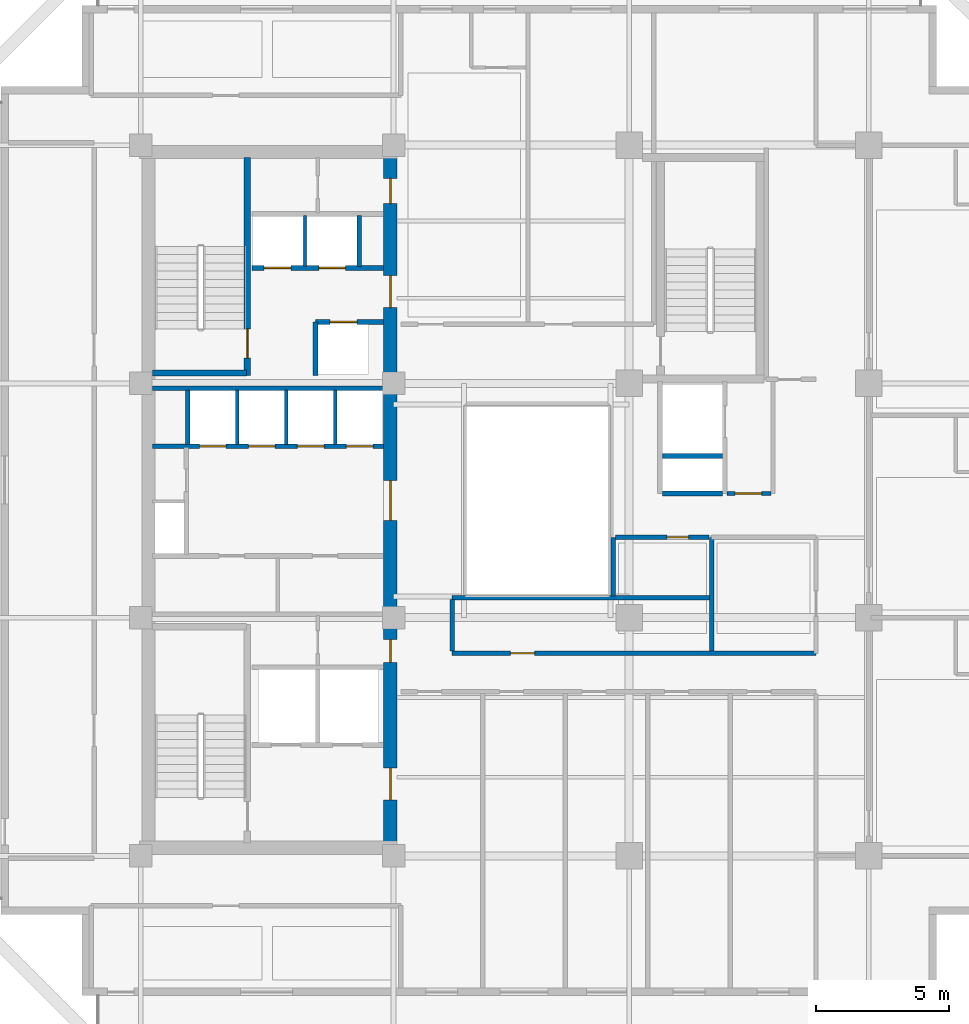
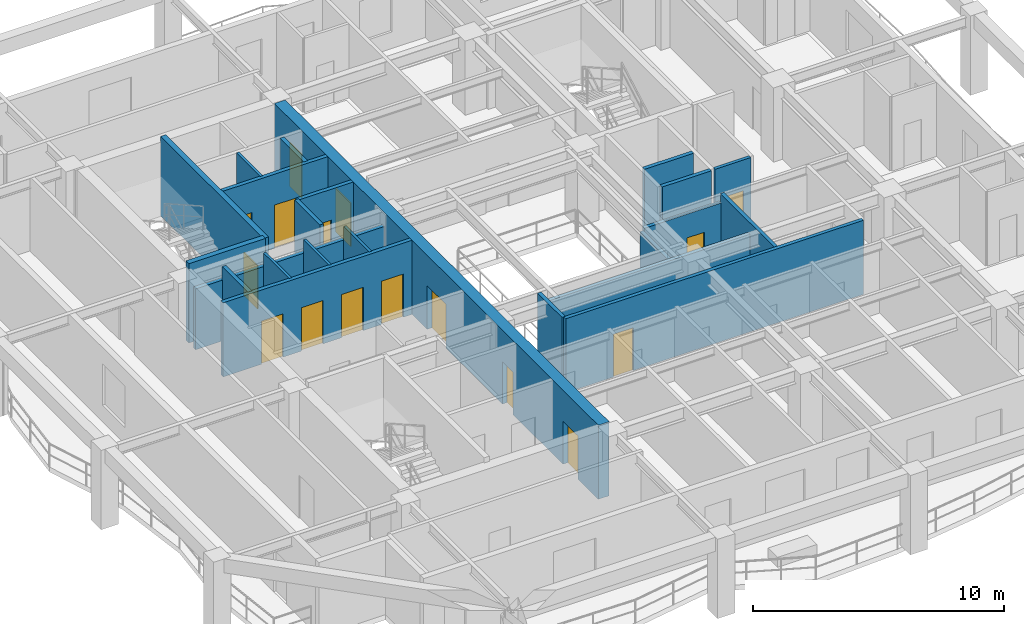
# One storey, part 4 of 11: 23 walls, 16 doors, 16 openings.
"""IFC4 building model written with IfcOpenShell, lengths in metres."""

import ifcopenshell
import ifcopenshell.guid

model = None  # the IFC model being written
_history = None  # IfcOwnerHistory: only IFC2X3 demands one
_inside = {}  # id of a spatial element -> (the spatial element, [elements in it])
_under = {}  # id of a project, library or spatial element -> (it, [spatial elements below it])
_declared = {}  # id of a project -> (the project, [libraries it declares])
_typed = {}  # id of a type object -> (the type object, [elements of that type])
_made_of = {}  # id of a material, layer set ... -> (it, [elements and type objects made of it])


def new_model(schema):
    """Start an empty IFC model of exactly this schema.

    Asked for "IFC4X3", IfcOpenShell would pick the latest addendum, in which some entities
    have other attributes; the version numbers below select the first issue.
    IFC2X3 requires an IfcOwnerHistory on every rooted entity: one is made here for all.
    """
    global model, _history
    if schema == "IFC4X3":
        model = ifcopenshell.file(schema_version=(4, 3, 0, 0))
    else:
        model = ifcopenshell.file(schema=schema)
    _inside.clear()
    _under.clear()
    _declared.clear()
    _typed.clear()
    _made_of.clear()
    _history = None
    if model.schema == "IFC2X3":
        org = make("IfcOrganization", Name="unknown")
        user = make(
            "IfcPersonAndOrganization",
            ThePerson=make("IfcPerson", FamilyName="unknown"),
            TheOrganization=org,
        )
        app = make(
            "IfcApplication",
            ApplicationDeveloper=org,
            Version="unknown",
            ApplicationFullName="unknown",
            ApplicationIdentifier="unknown",
        )
        _history = make(
            "IfcOwnerHistory",
            OwningUser=user,
            OwningApplication=app,
            ChangeAction="ADDED",
            CreationDate=0,
        )
    return model


def make(cls, **values):
    """One entity of the class cls with the attributes given. An attribute that is None is left unset."""
    return model.create_entity(
        cls, **{name: value for name, value in values.items() if value is not None}
    )


def rooted(cls, **values):
    """An entity with a GlobalId (a new one), such as an element, a storey or a relation."""
    return make(cls, GlobalId=ifcopenshell.guid.new(), OwnerHistory=_history, **values)


def si_unit(unit_type, name, prefix=None):
    """IfcSIUnit, for example si_unit("LENGTHUNIT", "METRE", prefix="MILLI")."""
    return make("IfcSIUnit", UnitType=unit_type, Prefix=prefix, Name=name)


def assignment(units):
    """IfcUnitAssignment: the units of a project."""
    return None if units is None else make("IfcUnitAssignment", Units=units)


def point(xyz):
    """IfcCartesianPoint."""
    return None if xyz is None else make("IfcCartesianPoint", Coordinates=xyz)


def direction(xyz):
    """IfcDirection."""
    return None if xyz is None else make("IfcDirection", DirectionRatios=xyz)


def frame(location, z_axis=None, x_axis=None):
    """IfcAxis2Placement3D, a coordinate frame: its origin and axes. An axis left out is left unset."""
    return make(
        "IfcAxis2Placement3D",
        Location=point(location),
        Axis=direction(z_axis),
        RefDirection=direction(x_axis),
    )


def frame_2d(location, x_axis=None):
    """IfcAxis2Placement2D, a coordinate frame in the plane: its origin and x axis."""
    return make(
        "IfcAxis2Placement2D", Location=point(location), RefDirection=direction(x_axis)
    )


def origin():
    """The frame at (0, 0, 0) with its axes left unset."""
    return frame((0.0, 0.0, 0.0))


def place(relative_to, where):
    """IfcLocalPlacement: puts the frame where relative to a parent placement (None: the world)."""
    return make(
        "IfcLocalPlacement", PlacementRelTo=relative_to, RelativePlacement=where
    )


def context(
    kind, dimensions, precision=None, world=None, true_north=None, identifier=None
):
    """IfcGeometricRepresentationContext, for example the 3D "Model" context."""
    return make(
        "IfcGeometricRepresentationContext",
        ContextIdentifier=identifier,
        ContextType=kind,
        CoordinateSpaceDimension=dimensions,
        Precision=precision,
        WorldCoordinateSystem=world,
        TrueNorth=true_north,
    )


def subcontext(parent, identifier, kind, view, scale=None):
    """IfcGeometricRepresentationSubContext, for example "Body" below "Model"."""
    return make(
        "IfcGeometricRepresentationSubContext",
        ContextIdentifier=identifier,
        ContextType=kind,
        ParentContext=parent,
        TargetScale=scale,
        TargetView=view,
    )


def project(units=None, contexts=None):
    """IfcProject with its units and contexts."""
    return rooted(
        "IfcProject",
        Name="project",
        RepresentationContexts=contexts,
        UnitsInContext=assignment(units),
    )


def spatial(cls, under=None, at=None, **own):
    """A site, building, storey or space (cls), placed at a placement, below another one or the project."""
    s = rooted(cls, ObjectPlacement=at, **own)
    if under is not None:
        _under.setdefault(under.id(), (under, []))[1].append(s)
    return s


def profile(cls, at=None, kind="AREA", **sizes):
    """A parametric profile (cls). Its sizes go by their IFC names, for example OverallWidth=200.0."""
    return make(cls, ProfileType=kind, Position=at, **sizes)


def rectangle(**sizes):
    """IfcRectangleProfileDef."""
    return profile("IfcRectangleProfileDef", **sizes)


def extrude(swept, where, along, depth):
    """IfcExtrudedAreaSolid: the profile swept, set in the frame where, extruded along a direction by depth."""
    return make(
        "IfcExtrudedAreaSolid",
        SweptArea=swept,
        Position=where,
        ExtrudedDirection=direction(along),
        Depth=depth,
    )


def shape(context_of_items, identifier, shape_type, items):
    """IfcShapeRepresentation: the items that make up one representation, for example the "Body"."""
    return make(
        "IfcShapeRepresentation",
        ContextOfItems=context_of_items,
        RepresentationIdentifier=identifier,
        RepresentationType=shape_type,
        Items=items,
    )


def material(Name=None, Category=None):
    """IfcMaterial."""
    return make("IfcMaterial", Name=Name, Category=Category)


def layer(
    of_material, thickness, ventilated=None, Name=None, Category=None, Priority=None
):
    """IfcMaterialLayer: one layer of a wall or slab, of a material (None: an air gap)."""
    return make(
        "IfcMaterialLayer",
        Material=of_material,
        LayerThickness=thickness,
        IsVentilated=ventilated,
        Name=Name,
        Category=Category,
        Priority=Priority,
    )


def layer_set(layers, Name=None):
    """IfcMaterialLayerSet."""
    return make("IfcMaterialLayerSet", MaterialLayers=layers, LayerSetName=Name)


def made_of(thing, what):
    """Note that an element or type object is made of a material, layer set ...; save() writes the relation."""
    if what is not None:
        _made_of.setdefault(what.id(), (what, []))[1].append(thing)
    return thing


def type_object(cls, material=None, **own):
    """A type object (cls), such as IfcWallType, which elements share."""
    return made_of(rooted(cls, **own), material)


def element(
    cls,
    number,
    at=None,
    inside=None,
    cuts=None,
    type_object=None,
    material=None,
    context=None,
    identifier="Body",
    shape_type=None,
    held_by="IfcProductDefinitionShape",
    body=None,
    shapes=None,
    **own,
):
    """One element of the class cls, such as IfcWall. Its Tag is "e" and its number.

    at: its placement. inside: the storey or other place that contains it. cuts: it is an
    opening in that element (IfcRelVoidsElement). A single representation is given by context,
    identifier, shape_type and body (its items); several are given by shapes. held_by: the class
    of the entity that holds the representations. save() writes the other relations.
    """
    e = rooted(cls, Tag="e%d" % number, ObjectPlacement=at, **own)
    if body is not None:
        shapes = [shape(context, identifier, shape_type, body)]
    if shapes is not None:
        e.Representation = make(held_by, Representations=shapes)
    if inside is not None:
        _inside.setdefault(inside.id(), (inside, []))[1].append(e)
    if cuts is not None:
        rooted(
            "IfcRelVoidsElement", RelatingBuildingElement=cuts, RelatedOpeningElement=e
        )
    if type_object is not None:
        _typed.setdefault(type_object.id(), (type_object, []))[1].append(e)
    return made_of(e, material)


def fill(opening, filler):
    """IfcRelFillsElement: the door or window that sits in an opening."""
    return rooted(
        "IfcRelFillsElement",
        RelatingOpeningElement=opening,
        RelatedBuildingElement=filler,
    )


def aggregate(whole, parts):
    """IfcRelAggregates: a whole, such as a stair, and the parts it consists of."""
    return rooted("IfcRelAggregates", RelatingObject=whole, RelatedObjects=parts)


def save(model, path):
    """Write the relations noted so far, then the file.

    IfcRelAggregates (storeys below a building ...), IfcRelContainedInSpatialStructure (elements
    in a storey), IfcRelDefinesByType, IfcRelAssociatesMaterial and IfcRelDeclares: one each for
    every whole, place, type object, material and project.
    """
    for whole, parts in _under.values():
        aggregate(whole, parts)
    for where, things in _inside.values():
        rooted(
            "IfcRelContainedInSpatialStructure",
            RelatedElements=things,
            RelatingStructure=where,
        )
    for kind, things in _typed.values():
        rooted("IfcRelDefinesByType", RelatedObjects=things, RelatingType=kind)
    for what, things in _made_of.values():
        rooted("IfcRelAssociatesMaterial", RelatedObjects=things, RelatingMaterial=what)
    for by, libraries in _declared.values():
        rooted("IfcRelDeclares", RelatingContext=by, RelatedDefinitions=libraries)
    model.write(path)


model = new_model("IFC4")

# Units and contexts
model_context = context("Model", 3, precision=1e-05, world=origin(), true_north=direction((0.0, 1.0)))
body_context = subcontext(model_context, "Body", "Model", "MODEL_VIEW")
ifc_project = project(units=[si_unit("LENGTHUNIT", "METRE"), si_unit("AREAUNIT", "SQUARE_METRE"), si_unit("VOLUMEUNIT", "CUBIC_METRE"), si_unit("PLANEANGLEUNIT", "RADIAN"), si_unit("MASSUNIT", "GRAM", prefix="KILO")], contexts=[model_context])

# Site, building, storey
site_placement = place(None, origin())
site = spatial("IfcSite", under=ifc_project, at=site_placement, CompositionType="ELEMENT")
building_placement = place(site_placement, origin())
building = spatial("IfcBuilding", under=site, at=building_placement, Name="Kundavana Baori Tower", CompositionType="ELEMENT")
storey_placement = place(building_placement, frame((0.0, 0.0, 142.5)))
storey = spatial("IfcBuildingStorey", under=building, at=storey_placement, Name="L34", CompositionType="ELEMENT", Elevation=142.5)

# Wall, opening, door
ifc_material_1 = material(Name="Concrete C50/60", Category="concrete")
ifc_layer_1 = layer(ifc_material_1, 0.39990234375, Name="WL-CORE-400")
ifc_layer_set_1 = layer_set([ifc_layer_1], Name="Concrete C50/60")
wall_type_1 = type_object("IfcWallType", Name="WL-CORE-400", PredefinedType="SHEAR", material=ifc_layer_set_1)
wall_1_placement = place(storey_placement, frame((19.4599609375, 33.300048828125, 0.0), z_axis=(0.0, 0.0, 1.0), x_axis=(0.0, 1.0, 0.0)))
wall_1 = element("IfcWall", 1, at=wall_1_placement, inside=storey, type_object=wall_type_1, Name="WL-L34-ST2-E", PredefinedType="SHEAR", context=body_context, shape_type="SweptSolid", body=[
    extrude(rectangle(XDim=8.179931640625, YDim=0.239990234375, at=frame_2d((4.08984375, 0.0))), origin(), (0.0, 0.0, 1.0), 3.85009765625),
])
opening_1_placement = place(wall_1_placement, frame((0.64990234375, 0.0, 0.0)))
opening_1 = element("IfcOpeningElement", 2, at=opening_1_placement, cuts=wall_1, Name="Opening FD-110", PredefinedType="OPENING", context=body_context, shape_type="SweptSolid", body=[
    extrude(rectangle(XDim=1.10009765625, YDim=2.10009765625, at=frame_2d((0.550048828125, 1.050048828125))), frame((0.0, 0.1298828125, 0.0), z_axis=(0.0, -1.0, 0.0), x_axis=(1.0, 0.0, 0.0)), (0.0, 0.0, 1.0), 0.260009765625),
])
ifc_material_2 = material(Name="Galvanised Steel Fire-Rated Door Leaf", Category="steel")
door_type_1 = type_object("IfcDoorType", Name="DR-FD120-1100", OperationType="NOTDEFINED", PredefinedType="DOOR", material=ifc_material_2)
door_1_placement = place(opening_1_placement, origin())
door_1 = element("IfcDoor", 3, at=door_1_placement, inside=storey, type_object=door_type_1, Name="DR-L34-ST2", OperationType="SINGLE_SWING_RIGHT", OverallHeight=2.10009765625, OverallWidth=1.10009765625, PredefinedType="DOOR", context=body_context, shape_type="SweptSolid", body=[
    extrude(rectangle(XDim=1.10009765625, YDim=2.10009765625, at=frame_2d((0.550048828125, 1.050048828125))), frame((0.0, 0.02490234375, 0.0), z_axis=(0.0, -1.0, 0.0), x_axis=(1.0, 0.0, 0.0)), (0.0, 0.0, 1.0), 0.050048828125),
])
fill(opening_1, door_1)

# Wall
wall_2_placement = place(storey_placement, frame((15.89990234375, 33.389892578125, 0.0), z_axis=(0.0, 0.0, 1.0), x_axis=(1.0, 0.0, 0.0)))
element("IfcWall", 4, at=wall_2_placement, inside=storey, type_object=wall_type_1, Name="WL-L34-ST2-S", PredefinedType="SHEAR", context=body_context, shape_type="SweptSolid", body=[
    extrude(rectangle(XDim=3.52001953125, YDim=0.239990234375, at=frame_2d((1.760009765625, 0.0))), origin(), (0.0, 0.0, 1.0), 3.85009765625),
])

# Wall, openings, doors
ifc_material_3 = material(Name="Concrete C50/60", Category="concrete")
ifc_layer_2 = layer(ifc_material_3, 0.5, Name="WL-CORE-500")
ifc_layer_set_2 = layer_set([ifc_layer_2], Name="Concrete C50/60")
wall_type_2 = type_object("IfcWallType", Name="WL-CORE-500", PredefinedType="SHEAR", material=ifc_layer_set_2)
wall_3_placement = place(storey_placement, frame((24.830078125, 15.739990234375, 0.0), z_axis=(0.0, 0.0, 1.0), x_axis=(0.0, 1.0, 0.0)))
wall_3 = element("IfcWall", 5, at=wall_3_placement, inside=storey, type_object=wall_type_2, Name="L34 Offset Core East Shear Wall", PredefinedType="SHEAR", context=body_context, shape_type="SweptSolid", body=[
    extrude(rectangle(XDim=25.760009765625, YDim=0.5, at=frame_2d((12.8798828125, 0.0))), origin(), (0.0, 0.0, 1.0), 3.60009765625),
])
opening_2_placement = place(wall_3_placement, frame((1.610107421875, 0.0, 0.0)))
opening_2 = element("IfcOpeningElement", 6, at=opening_2_placement, cuts=wall_3, Name="Opening FD-120", PredefinedType="OPENING", context=body_context, shape_type="SweptSolid", body=[
    extrude(rectangle(XDim=1.199951171875, YDim=2.10009765625, at=frame_2d((0.60009765625, 1.050048828125))), frame((0.0, 0.260009765625, 0.0), z_axis=(0.0, -1.0, 0.0), x_axis=(1.0, 0.0, 0.0)), (0.0, 0.0, 1.0), 0.52001953125),
])
opening_3_placement = place(wall_3_placement, frame((6.780029296875, 0.0, 0.0)))
opening_3 = element("IfcOpeningElement", 7, at=opening_3_placement, cuts=wall_3, Name="Opening FD-085", PredefinedType="OPENING", context=body_context, shape_type="SweptSolid", body=[
    extrude(rectangle(XDim=0.85009765625, YDim=2.06005859375, at=frame_2d((0.425048828125, 1.030029296875))), frame((0.0, 0.260009765625, 0.0), z_axis=(0.0, -1.0, 0.0), x_axis=(1.0, 0.0, 0.0)), (0.0, 0.0, 1.0), 0.52001953125),
])
opening_4_placement = place(wall_3_placement, frame((12.110107421875, 0.0, 0.0)))
opening_4 = element("IfcOpeningElement", 8, at=opening_4_placement, cuts=wall_3, Name="Opening FD-150", PredefinedType="OPENING", context=body_context, shape_type="SweptSolid", body=[
    extrude(rectangle(XDim=1.5, YDim=2.1201171875, at=frame_2d((0.75, 1.06005859375))), frame((0.0, 0.260009765625, 0.0), z_axis=(0.0, -1.0, 0.0), x_axis=(1.0, 0.0, 0.0)), (0.0, 0.0, 1.0), 0.52001953125),
])
opening_5_placement = place(wall_3_placement, frame((20.110107421875, 0.0, 0.0)))
opening_5 = element("IfcOpeningElement", 9, at=opening_5_placement, cuts=wall_3, Name="Opening FD-122", PredefinedType="OPENING", context=body_context, shape_type="SweptSolid", body=[
    extrude(rectangle(XDim=1.199951171875, YDim=2.1201171875, at=frame_2d((0.60009765625, 1.06005859375))), frame((0.0, 0.260009765625, 0.0), z_axis=(0.0, -1.0, 0.0), x_axis=(1.0, 0.0, 0.0)), (0.0, 0.0, 1.0), 0.52001953125),
])
opening_6_placement = place(wall_3_placement, frame((24.010009765625, 0.0, 0.0)))
opening_6 = element("IfcOpeningElement", 10, at=opening_6_placement, cuts=wall_3, Name="Opening FD-095", PredefinedType="OPENING", context=body_context, shape_type="SweptSolid", body=[
    extrude(rectangle(XDim=0.949951171875, YDim=2.10009765625, at=frame_2d((0.47509765625, 1.050048828125))), frame((0.0, 0.260009765625, 0.0), z_axis=(0.0, -1.0, 0.0), x_axis=(1.0, 0.0, 0.0)), (0.0, 0.0, 1.0), 0.52001953125),
])
ifc_material_4 = material(Name="Galvanised Steel Fire-Rated Door Leaf", Category="steel")
door_type_2 = type_object("IfcDoorType", Name="DR-FD120-1200", OperationType="NOTDEFINED", PredefinedType="DOOR", material=ifc_material_4)
door_2_placement = place(opening_2_placement, frame((1.199951171875, 0.0, 0.0), z_axis=(0.0, 0.0, 1.0), x_axis=(-1.0, 0.0, 0.0)))
door_2 = element("IfcDoor", 11, at=door_2_placement, inside=storey, type_object=door_type_2, Name="DR-L34-FFLOB-E", OperationType="SINGLE_SWING_RIGHT", OverallHeight=2.10009765625, OverallWidth=1.199951171875, PredefinedType="DOOR", context=body_context, shape_type="SweptSolid", body=[
    extrude(rectangle(XDim=1.199951171875, YDim=2.10009765625, at=frame_2d((0.60009765625, 1.050048828125))), frame((0.0, 0.02490234375, 0.0), z_axis=(0.0, -1.0, 0.0), x_axis=(1.0, 0.0, 0.0)), (0.0, 0.0, 1.0), 0.050048828125),
])
fill(opening_2, door_2)
ifc_material_5 = material(Name="Galvanised Steel Fire-Rated Door Leaf", Category="steel")
door_type_3 = type_object("IfcDoorType", Name="DR-FD60-1200", OperationType="NOTDEFINED", PredefinedType="DOOR", material=ifc_material_5)
door_3_placement = place(opening_5_placement, frame((1.199951171875, 0.0, 0.0), z_axis=(0.0, 0.0, 1.0), x_axis=(-1.0, 0.0, 0.0)))
door_3 = element("IfcDoor", 12, at=door_3_placement, inside=storey, type_object=door_type_3, Name="DR-L34-HRLOB-E", OperationType="SINGLE_SWING_RIGHT", OverallHeight=2.1201171875, OverallWidth=1.199951171875, PredefinedType="DOOR", context=body_context, shape_type="SweptSolid", body=[
    extrude(rectangle(XDim=1.199951171875, YDim=2.1201171875, at=frame_2d((0.60009765625, 1.06005859375))), frame((0.0, 0.02490234375, 0.0), z_axis=(0.0, -1.0, 0.0), x_axis=(1.0, 0.0, 0.0)), (0.0, 0.0, 1.0), 0.050048828125),
])
fill(opening_5, door_3)
ifc_material_6 = material(Name="Galvanised Steel Fire-Rated Door Leaf", Category="steel")
door_type_4 = type_object("IfcDoorType", Name="DR-FD60-1500", OperationType="NOTDEFINED", PredefinedType="DOOR", material=ifc_material_6)
door_4_placement = place(opening_4_placement, frame((1.5, 0.0, 0.0), z_axis=(0.0, 0.0, 1.0), x_axis=(-1.0, 0.0, 0.0)))
door_4 = element("IfcDoor", 13, at=door_4_placement, inside=storey, type_object=door_type_4, Name="DR-L34-LIFTHALL-E", OperationType="SINGLE_SWING_LEFT", OverallHeight=2.1201171875, OverallWidth=1.5, PredefinedType="DOOR", context=body_context, shape_type="SweptSolid", body=[
    extrude(rectangle(XDim=1.5, YDim=2.1201171875, at=frame_2d((0.75, 1.06005859375))), frame((0.0, 0.02490234375, 0.0), z_axis=(0.0, -1.0, 0.0), x_axis=(1.0, 0.0, 0.0)), (0.0, 0.0, 1.0), 0.050048828125),
])
fill(opening_4, door_4)
ifc_material_7 = material(Name="Galvanised Steel Fire-Rated Door Leaf", Category="steel")
door_type_5 = type_object("IfcDoorType", Name="DR-FD60-850", OperationType="NOTDEFINED", PredefinedType="DOOR", material=ifc_material_7)
door_5_placement = place(opening_3_placement, frame((0.85009765625, 0.0, 0.0), z_axis=(0.0, 0.0, 1.0), x_axis=(-1.0, 0.0, 0.0)))
door_5 = element("IfcDoor", 14, at=door_5_placement, inside=storey, type_object=door_type_5, Name="DR-L34-CSMK2", OperationType="SINGLE_SWING_RIGHT", OverallHeight=2.06005859375, OverallWidth=0.85009765625, PredefinedType="DOOR", context=body_context, shape_type="SweptSolid", body=[
    extrude(rectangle(XDim=0.85009765625, YDim=2.06005859375, at=frame_2d((0.425048828125, 1.030029296875))), frame((0.0, 0.02490234375, 0.0), z_axis=(0.0, -1.0, 0.0), x_axis=(1.0, 0.0, 0.0)), (0.0, 0.0, 1.0), 0.050048828125),
])
fill(opening_3, door_5)
ifc_material_8 = material(Name="Engineered Teak Fire-Rated Timber Door Leaf", Category="wood")
door_type_6 = type_object("IfcDoorType", Name="DR-FD60-950", OperationType="NOTDEFINED", PredefinedType="DOOR", material=ifc_material_8)
door_6_placement = place(opening_6_placement, frame((0.949951171875, 0.0, 0.0), z_axis=(0.0, 0.0, 1.0), x_axis=(-1.0, 0.0, 0.0)))
door_6 = element("IfcDoor", 15, at=door_6_placement, inside=storey, type_object=door_type_6, Name="DR-L34-CSRV2", OperationType="SINGLE_SWING_RIGHT", OverallHeight=2.10009765625, OverallWidth=0.949951171875, PredefinedType="DOOR", context=body_context, shape_type="SweptSolid", body=[
    extrude(rectangle(XDim=0.949951171875, YDim=2.10009765625, at=frame_2d((0.47509765625, 1.050048828125))), frame((0.0, 0.02490234375, 0.0), z_axis=(0.0, -1.0, 0.0), x_axis=(1.0, 0.0, 0.0)), (0.0, 0.0, 1.0), 0.050048828125),
])
fill(opening_6, door_6)

# Walls
ifc_material_9 = material(Name="Acoustic Gypsum Plasterboard on Galvanised Steel Studs", Category="steel")
ifc_layer_3 = layer(ifc_material_9, 0.1201171875, Name="WL-PART-120")
ifc_layer_set_3 = layer_set([ifc_layer_3], Name="Acoustic Gypsum Plasterboard on Galvanised Steel Studs")
wall_type_3 = type_object("IfcWallType", Name="WL-PART-120", PredefinedType="PARTITIONING", material=ifc_layer_set_3)
for number, where, z_axis, x_axis, name in (
    (16, (19.080078125, 30.699951171875, 0.0), (0.0, 0.0, 1.0), (0.0, 1.0, 0.0), "WL-L34-LPMID-D1"),
    (17, (20.919921875, 30.699951171875, 0.0), (0.0, 0.0, 1.0), (0.0, 1.0, 0.0), "WL-L34-LPMID-D2"),
    (18, (22.760009765625, 30.699951171875, 0.0), (0.0, 0.0, 1.0), (0.0, 1.0, 0.0), "WL-L34-LPMID-D3"),
):
    element("IfcWall", number, at=place(storey_placement, frame(where, z_axis=z_axis, x_axis=x_axis)), inside=storey, type_object=wall_type_3, Name=name, PredefinedType="PARTITIONING", context=body_context, shape_type="SweptSolid", body=[
        extrude(rectangle(XDim=2.050048828125, YDim=0.1201171875, at=frame_2d((1.02490234375, 0.0))), origin(), (0.0, 0.0, 1.0), 3.60009765625),
    ])
wall_4_placement = place(storey_placement, frame((21.6201171875, 37.39990234375, 0.0), z_axis=(0.0, 0.0, 1.0), x_axis=(0.0, 1.0, 0.0)))
element("IfcWall", 19, at=wall_4_placement, inside=storey, type_object=wall_type_3, Name="WL-L34-HR-DIV1", PredefinedType="PARTITIONING", context=body_context, shape_type="SweptSolid", body=[
    extrude(rectangle(XDim=1.900146484375, YDim=0.1201171875, at=frame_2d((0.9501953125, 0.0))), origin(), (0.0, 0.0, 1.0), 3.60009765625),
])

# Wall, opening, door
ifc_material_10 = material(Name="Fire-Rated Gypsum Drywall on Galvanised Steel Studs", Category="steel")
ifc_layer_4 = layer(ifc_material_10, 0.14990234375, Name="WL-PART-150")
ifc_layer_set_4 = layer_set([ifc_layer_4], Name="Fire-Rated Gypsum Drywall on Galvanised Steel Studs")
wall_type_4 = type_object("IfcWallType", Name="WL-PART-150", PredefinedType="PARTITIONING", material=ifc_layer_set_4)
wall_5_placement = place(storey_placement, frame((37.47998046875, 28.860107421875, 0.0), z_axis=(0.0, 0.0, 1.0), x_axis=(1.0, 0.0, 0.0)))
wall_5 = element("IfcWall", 20, at=wall_5_placement, inside=storey, type_object=wall_type_4, Name="WL-L34-SVLOB-S", PredefinedType="PARTITIONING", context=body_context, shape_type="SweptSolid", body=[
    extrude(rectangle(XDim=1.64013671875, YDim=0.14990234375, at=frame_2d((0.820068359375, 0.0))), origin(), (0.0, 0.0, 1.0), 3.60009765625),
])
opening_7_placement = place(wall_5_placement, frame((0.300048828125, 0.0, 0.0)))
opening_7 = element("IfcOpeningElement", 21, at=opening_7_placement, cuts=wall_5, Name="Opening FD-100", PredefinedType="OPENING", context=body_context, shape_type="SweptSolid", body=[
    extrude(rectangle(XDim=1.0, YDim=2.10009765625, at=frame_2d((0.5, 1.050048828125))), frame((0.0, 0.0849609375, 0.0), z_axis=(0.0, -1.0, 0.0), x_axis=(1.0, 0.0, 0.0)), (0.0, 0.0, 1.0), 0.169921875),
])
ifc_material_11 = material(Name="Engineered Teak Fire-Rated Timber Door Leaf", Category="wood")
door_type_7 = type_object("IfcDoorType", Name="DR-FD60-1000", OperationType="NOTDEFINED", PredefinedType="DOOR", material=ifc_material_11)
door_7_placement = place(opening_7_placement, origin())
door_7 = element("IfcDoor", 22, at=door_7_placement, inside=storey, type_object=door_type_7, Name="DR-L34-SVLOB-OUT", OperationType="SINGLE_SWING_LEFT", OverallHeight=2.10009765625, OverallWidth=1.0, PredefinedType="DOOR", context=body_context, shape_type="SweptSolid", body=[
    extrude(rectangle(XDim=1.0, YDim=2.10009765625, at=frame_2d((0.5, 1.050048828125))), frame((0.0, 0.02490234375, 0.0), z_axis=(0.0, -1.0, 0.0), x_axis=(1.0, 0.0, 0.0)), (0.0, 0.0, 1.0), 0.050048828125),
])
fill(opening_7, door_7)

ifc_material_12 = material(Name="Fire-Rated Gypsum Drywall on Galvanised Steel Studs", Category="steel")
ifc_layer_5 = layer(ifc_material_12, 0.1650390625, Name="WL-PART-165")
ifc_layer_set_5 = layer_set([ifc_layer_5], Name="Fire-Rated Gypsum Drywall on Galvanised Steel Studs")
wall_type_5 = type_object("IfcWallType", Name="WL-PART-165", PredefinedType="PARTITIONING", material=ifc_layer_set_5)
wall_6_placement = place(storey_placement, frame((27.14990234375, 22.860107421875, 0.0), z_axis=(0.0, 0.0, 1.0), x_axis=(1.0, 0.0, 0.0)))
wall_6 = element("IfcWall", 23, at=wall_6_placement, inside=storey, type_object=wall_type_5, Name="WL-L34-HST", PredefinedType="PARTITIONING", context=body_context, shape_type="SweptSolid", body=[
    extrude(rectangle(XDim=13.670166015625, YDim=0.1650390625, at=frame_2d((6.8349609375, 0.0))), origin(), (0.0, 0.0, 1.0), 3.60009765625),
])
opening_8_placement = place(wall_6_placement, frame((2.199951171875, 0.0, 0.0)))
opening_8 = element("IfcOpeningElement", 24, at=opening_8_placement, cuts=wall_6, Name="Opening ID-090", PredefinedType="OPENING", context=body_context, shape_type="SweptSolid", body=[
    extrude(rectangle(XDim=0.89990234375, YDim=2.080078125, at=frame_2d((0.449951171875, 1.0400390625))), frame((0.0, 0.092529296875, 0.0), z_axis=(0.0, -1.0, 0.0), x_axis=(1.0, 0.0, 0.0)), (0.0, 0.0, 1.0), 0.18505859375),
])
ifc_material_13 = material(Name="Engineered Teak Solid-Core Timber Veneer", Category="wood")
door_type_8 = type_object("IfcDoorType", Name="DR-INT-900", OperationType="NOTDEFINED", PredefinedType="DOOR", material=ifc_material_13)
door_8_placement = place(opening_8_placement, origin())
door_8 = element("IfcDoor", 25, at=door_8_placement, inside=storey, type_object=door_type_8, Name="DR-L34-HPNT", OperationType="SINGLE_SWING_LEFT", OverallHeight=2.080078125, OverallWidth=0.89990234375, PredefinedType="DOOR", context=body_context, shape_type="SweptSolid", body=[
    extrude(rectangle(XDim=0.89990234375, YDim=2.080078125, at=frame_2d((0.449951171875, 1.0400390625))), frame((0.0, 0.02490234375, 0.0), z_axis=(0.0, -1.0, 0.0), x_axis=(1.0, 0.0, 0.0)), (0.0, 0.0, 1.0), 0.050048828125),
])
fill(opening_8, door_8)

# Walls
wall_7_placement = place(storey_placement, frame((36.89990234375, 22.93994140625, 0.0), z_axis=(0.0, 0.0, 1.0), x_axis=(0.0, 1.0, 0.0)))
element("IfcWall", 26, at=wall_7_placement, inside=storey, type_object=wall_type_5, Name="WL-L34-HKD", PredefinedType="PARTITIONING", context=body_context, shape_type="SweptSolid", body=[
    extrude(rectangle(XDim=4.280029296875, YDim=0.1650390625, at=frame_2d((2.14013671875, 0.0))), origin(), (0.0, 0.0, 1.0), 3.60009765625),
])
wall_8_placement = place(storey_placement, frame((27.14990234375, 24.949951171875, 0.0), z_axis=(0.0, 0.0, 1.0), x_axis=(1.0, 0.0, 0.0)))
element("IfcWall", 27, at=wall_8_placement, inside=storey, type_object=wall_type_5, Name="WL-L34-HPN1", PredefinedType="PARTITIONING", context=body_context, shape_type="SweptSolid", body=[
    extrude(rectangle(XDim=9.670166015625, YDim=0.1650390625, at=frame_2d((4.8349609375, 0.0))), origin(), (0.0, 0.0, 1.0), 3.050048828125),
])
wall_9_placement = place(storey_placement, frame((27.14990234375, 22.93994140625, 0.0), z_axis=(0.0, 0.0, 1.0), x_axis=(0.0, 1.0, 0.0)))
element("IfcWall", 28, at=wall_9_placement, inside=storey, type_object=wall_type_5, Name="WL-L34-HPN2", PredefinedType="PARTITIONING", context=body_context, shape_type="SweptSolid", body=[
    extrude(rectangle(XDim=1.93994140625, YDim=0.1650390625, at=frame_2d((0.969970703125, 0.0))), origin(), (0.0, 0.0, 1.0), 3.60009765625),
])
wall_10_placement = place(storey_placement, frame((33.199951171875, 25.02001953125, 0.0), z_axis=(0.0, 0.0, 1.0), x_axis=(0.0, 1.0, 0.0)))
element("IfcWall", 29, at=wall_10_placement, inside=storey, type_object=wall_type_5, Name="WL-L34-HASW", PredefinedType="PARTITIONING", context=body_context, shape_type="SweptSolid", body=[
    extrude(rectangle(XDim=2.199951171875, YDim=0.1650390625, at=frame_2d((1.10009765625, 0.0))), origin(), (0.0, 0.0, 1.0), 3.050048828125),
])

# Wall, opening, door
wall_11_placement = place(storey_placement, frame((33.280029296875, 27.219970703125, 0.0), z_axis=(0.0, 0.0, 1.0), x_axis=(1.0, 0.0, 0.0)))
wall_11 = element("IfcWall", 30, at=wall_11_placement, inside=storey, type_object=wall_type_5, Name="WL-L34-HASN", PredefinedType="PARTITIONING", context=body_context, shape_type="SweptSolid", body=[
    extrude(rectangle(XDim=3.52001953125, YDim=0.1650390625, at=frame_2d((1.760009765625, 0.0))), origin(), (0.0, 0.0, 1.0), 3.199951171875),
])
opening_9_placement = place(wall_11_placement, frame((1.949951171875, 0.0, 0.0)))
opening_9 = element("IfcOpeningElement", 31, at=opening_9_placement, cuts=wall_11, Name="Opening WD-080", PredefinedType="OPENING", context=body_context, shape_type="SweptSolid", body=[
    extrude(rectangle(XDim=0.800048828125, YDim=2.050048828125, at=frame_2d((0.39990234375, 1.02490234375))), frame((0.0, 0.092529296875, 0.0), z_axis=(0.0, -1.0, 0.0), x_axis=(1.0, 0.0, 0.0)), (0.0, 0.0, 1.0), 0.18505859375),
])
ifc_material_14 = material(Name="Engineered Teak Solid-Core Timber Veneer", Category="wood")
door_type_9 = type_object("IfcDoorType", Name="DR-WET-800", OperationType="NOTDEFINED", PredefinedType="DOOR", material=ifc_material_14)
door_9_placement = place(opening_9_placement, frame((0.800048828125, 0.0, 0.0), z_axis=(0.0, 0.0, 1.0), x_axis=(-1.0, 0.0, 0.0)))
door_9 = element("IfcDoor", 32, at=door_9_placement, inside=storey, type_object=door_type_9, Name="DR-L34-HLAS", OperationType="SINGLE_SWING_LEFT", OverallHeight=2.050048828125, OverallWidth=0.800048828125, PredefinedType="DOOR", context=body_context, shape_type="SweptSolid", body=[
    extrude(rectangle(XDim=0.800048828125, YDim=2.050048828125, at=frame_2d((0.39990234375, 1.02490234375))), frame((0.0, 0.02490234375, 0.0), z_axis=(0.0, -1.0, 0.0), x_axis=(1.0, 0.0, 0.0)), (0.0, 0.0, 1.0), 0.050048828125),
])
fill(opening_9, door_9)

# Wall, openings, doors
ifc_material_15 = material(Name="Autoclaved Aerated Concrete Blockwork Masonry", Category="masonry")
ifc_layer_6 = layer(ifc_material_15, 0.179931640625, Name="WL-SHAFT-180")
ifc_layer_set_6 = layer_set([ifc_layer_6], Name="Autoclaved Aerated Concrete Blockwork Masonry")
wall_type_6 = type_object("IfcWallType", Name="WL-SHAFT-180", PredefinedType="SOLIDWALL", material=ifc_layer_set_6)
wall_12_placement = place(storey_placement, frame((15.89990234375, 30.639892578125, 0.0), z_axis=(0.0, 0.0, 1.0), x_axis=(1.0, 0.0, 0.0)))
wall_12 = element("IfcWall", 33, at=wall_12_placement, inside=storey, type_object=wall_type_6, Name="WL-L34-LPMID-S", PredefinedType="SOLIDWALL", context=body_context, shape_type="SweptSolid", body=[
    extrude(rectangle(XDim=8.68017578125, YDim=0.179931640625, at=frame_2d((4.340087890625, 0.0))), origin(), (0.0, 0.0, 1.0), 3.60009765625),
])
opening_10_placement = place(wall_12_placement, frame((1.760009765625, 0.0, 0.0)))
opening_10 = element("IfcOpeningElement", 34, at=opening_10_placement, cuts=wall_12, Name="Opening LD-100", PredefinedType="OPENING", context=body_context, shape_type="SweptSolid", body=[
    extrude(rectangle(XDim=1.0, YDim=2.10009765625, at=frame_2d((0.5, 1.050048828125))), frame((0.0, 0.10009765625, 0.0), z_axis=(0.0, -1.0, 0.0), x_axis=(1.0, 0.0, 0.0)), (0.0, 0.0, 1.0), 0.199951171875),
])
opening_11_placement = place(wall_12_placement, frame((3.60009765625, 0.0, 0.0)))
opening_11 = element("IfcOpeningElement", 35, at=opening_11_placement, cuts=wall_12, Name="Opening LD-100", PredefinedType="OPENING", context=body_context, shape_type="SweptSolid", body=[
    extrude(rectangle(XDim=1.0, YDim=2.10009765625, at=frame_2d((0.5, 1.050048828125))), frame((0.0, 0.10009765625, 0.0), z_axis=(0.0, -1.0, 0.0), x_axis=(1.0, 0.0, 0.0)), (0.0, 0.0, 1.0), 0.199951171875),
])
opening_12_placement = place(wall_12_placement, frame((5.43994140625, 0.0, 0.0)))
opening_12 = element("IfcOpeningElement", 36, at=opening_12_placement, cuts=wall_12, Name="Opening LD-100", PredefinedType="OPENING", context=body_context, shape_type="SweptSolid", body=[
    extrude(rectangle(XDim=1.0, YDim=2.10009765625, at=frame_2d((0.5, 1.050048828125))), frame((0.0, 0.10009765625, 0.0), z_axis=(0.0, -1.0, 0.0), x_axis=(1.0, 0.0, 0.0)), (0.0, 0.0, 1.0), 0.199951171875),
])
opening_13_placement = place(wall_12_placement, frame((7.280029296875, 0.0, 0.0)))
opening_13 = element("IfcOpeningElement", 37, at=opening_13_placement, cuts=wall_12, Name="Opening LD-100", PredefinedType="OPENING", context=body_context, shape_type="SweptSolid", body=[
    extrude(rectangle(XDim=1.0, YDim=2.10009765625, at=frame_2d((0.5, 1.050048828125))), frame((0.0, 0.10009765625, 0.0), z_axis=(0.0, -1.0, 0.0), x_axis=(1.0, 0.0, 0.0)), (0.0, 0.0, 1.0), 0.199951171875),
])
ifc_material_16 = material(Name="Galvanised Steel Fire-Rated Door Leaf", Category="steel")
door_type_10 = type_object("IfcDoorType", Name="DR-SLIDE-LD1000", OperationType="NOTDEFINED", PredefinedType="DOOR", material=ifc_material_16)
door_10_placement = place(opening_10_placement, frame((1.0, 0.0, 0.0), z_axis=(0.0, 0.0, 1.0), x_axis=(-1.0, 0.0, 0.0)))
door_10 = element("IfcDoor", 38, at=door_10_placement, inside=storey, type_object=door_type_10, Name="DR-L34-LD-LP-05", OperationType="DOUBLE_DOOR_SLIDING", OverallHeight=2.10009765625, OverallWidth=1.0, PredefinedType="DOOR", context=body_context, shape_type="SweptSolid", body=[
    extrude(rectangle(XDim=1.0, YDim=2.10009765625, at=frame_2d((0.5, 1.050048828125))), frame((0.0, 0.02490234375, 0.0), z_axis=(0.0, -1.0, 0.0), x_axis=(1.0, 0.0, 0.0)), (0.0, 0.0, 1.0), 0.050048828125),
])
fill(opening_10, door_10)
door_11_placement = place(opening_11_placement, frame((1.0, 0.0, 0.0), z_axis=(0.0, 0.0, 1.0), x_axis=(-1.0, 0.0, 0.0)))
door_11 = element("IfcDoor", 39, at=door_11_placement, inside=storey, type_object=door_type_10, Name="DR-L34-LD-LP-06", OperationType="DOUBLE_DOOR_SLIDING", OverallHeight=2.10009765625, OverallWidth=1.0, PredefinedType="DOOR", context=body_context, shape_type="SweptSolid", body=[
    extrude(rectangle(XDim=1.0, YDim=2.10009765625, at=frame_2d((0.5, 1.050048828125))), frame((0.0, 0.02490234375, 0.0), z_axis=(0.0, -1.0, 0.0), x_axis=(1.0, 0.0, 0.0)), (0.0, 0.0, 1.0), 0.050048828125),
])
fill(opening_11, door_11)
door_12_placement = place(opening_12_placement, frame((1.0, 0.0, 0.0), z_axis=(0.0, 0.0, 1.0), x_axis=(-1.0, 0.0, 0.0)))
door_12 = element("IfcDoor", 40, at=door_12_placement, inside=storey, type_object=door_type_10, Name="DR-L34-LD-LP-07", OperationType="DOUBLE_DOOR_SLIDING", OverallHeight=2.10009765625, OverallWidth=1.0, PredefinedType="DOOR", context=body_context, shape_type="SweptSolid", body=[
    extrude(rectangle(XDim=1.0, YDim=2.10009765625, at=frame_2d((0.5, 1.050048828125))), frame((0.0, 0.02490234375, 0.0), z_axis=(0.0, -1.0, 0.0), x_axis=(1.0, 0.0, 0.0)), (0.0, 0.0, 1.0), 0.050048828125),
])
fill(opening_12, door_12)
door_13_placement = place(opening_13_placement, frame((1.0, 0.0, 0.0), z_axis=(0.0, 0.0, 1.0), x_axis=(-1.0, 0.0, 0.0)))
door_13 = element("IfcDoor", 41, at=door_13_placement, inside=storey, type_object=door_type_10, Name="DR-L34-LD-LP-08", OperationType="DOUBLE_DOOR_SLIDING", OverallHeight=2.10009765625, OverallWidth=1.0, PredefinedType="DOOR", context=body_context, shape_type="SweptSolid", body=[
    extrude(rectangle(XDim=1.0, YDim=2.10009765625, at=frame_2d((0.5, 1.050048828125))), frame((0.0, 0.02490234375, 0.0), z_axis=(0.0, -1.0, 0.0), x_axis=(1.0, 0.0, 0.0)), (0.0, 0.0, 1.0), 0.050048828125),
])
fill(opening_13, door_13)

# Walls
wall_13_placement = place(storey_placement, frame((15.89990234375, 32.820068359375, 0.0), z_axis=(0.0, 0.0, 1.0), x_axis=(1.0, 0.0, 0.0)))
element("IfcWall", 42, at=wall_13_placement, inside=storey, type_object=wall_type_6, Name="WL-L34-LPMID-N", PredefinedType="SOLIDWALL", context=body_context, shape_type="SweptSolid", body=[
    extrude(rectangle(XDim=8.68017578125, YDim=0.179931640625, at=frame_2d((4.340087890625, 0.0))), origin(), (0.0, 0.0, 1.0), 2.949951171875),
])
wall_14_placement = place(storey_placement, frame((17.219970703125, 30.699951171875, 0.0), z_axis=(0.0, 0.0, 1.0), x_axis=(0.0, 1.0, 0.0)))
element("IfcWall", 43, at=wall_14_placement, inside=storey, type_object=wall_type_6, Name="WL-L34-LPMID-W", PredefinedType="SOLIDWALL", context=body_context, shape_type="SweptSolid", body=[
    extrude(rectangle(XDim=2.050048828125, YDim=0.179931640625, at=frame_2d((1.02490234375, 0.0))), origin(), (0.0, 0.0, 1.0), 3.60009765625),
])

# Wall, opening, door
wall_15_placement = place(storey_placement, frame((22.02001953125, 35.31005859375, 0.0), z_axis=(0.0, 0.0, 1.0), x_axis=(1.0, 0.0, 0.0)))
wall_15 = element("IfcWall", 44, at=wall_15_placement, inside=storey, type_object=wall_type_6, Name="WL-L34-LP11-N", PredefinedType="SOLIDWALL", context=body_context, shape_type="SweptSolid", body=[
    extrude(rectangle(XDim=2.56005859375, YDim=0.179931640625, at=frame_2d((1.280029296875, 0.0))), origin(), (0.0, 0.0, 1.0), 3.60009765625),
])
opening_14_placement = place(wall_15_placement, frame((0.550048828125, 0.0, 0.0)))
opening_14 = element("IfcOpeningElement", 45, at=opening_14_placement, cuts=wall_15, Name="Opening LD-100", PredefinedType="OPENING", context=body_context, shape_type="SweptSolid", body=[
    extrude(rectangle(XDim=1.0, YDim=2.10009765625, at=frame_2d((0.5, 1.050048828125))), frame((0.0, 0.10009765625, 0.0), z_axis=(0.0, -1.0, 0.0), x_axis=(1.0, 0.0, 0.0)), (0.0, 0.0, 1.0), 0.199951171875),
])
door_14_placement = place(opening_14_placement, origin())
door_14 = element("IfcDoor", 46, at=door_14_placement, inside=storey, type_object=door_type_10, Name="DR-L34-LD-LP11", OperationType="DOUBLE_DOOR_SLIDING", OverallHeight=2.10009765625, OverallWidth=1.0, PredefinedType="DOOR", context=body_context, shape_type="SweptSolid", body=[
    extrude(rectangle(XDim=1.0, YDim=2.10009765625, at=frame_2d((0.5, 1.050048828125))), frame((0.0, 0.02490234375, 0.0), z_axis=(0.0, -1.0, 0.0), x_axis=(1.0, 0.0, 0.0)), (0.0, 0.0, 1.0), 0.050048828125),
])
fill(opening_14, door_14)

# Wall
wall_16_placement = place(storey_placement, frame((22.02001953125, 33.300048828125, 0.0), z_axis=(0.0, 0.0, 1.0), x_axis=(0.0, 1.0, 0.0)))
element("IfcWall", 47, at=wall_16_placement, inside=storey, type_object=wall_type_6, Name="WL-L34-LP11-W", PredefinedType="SOLIDWALL", context=body_context, shape_type="SweptSolid", body=[
    extrude(rectangle(XDim=2.010009765625, YDim=0.179931640625, at=frame_2d((1.0048828125, 0.0))), origin(), (0.0, 0.0, 1.0), 3.60009765625),
])

# Wall, openings, doors
wall_17_placement = place(storey_placement, frame((19.639892578125, 37.340087890625, 0.0), z_axis=(0.0, 0.0, 1.0), x_axis=(1.0, 0.0, 0.0)))
wall_17 = element("IfcWall", 48, at=wall_17_placement, inside=storey, type_object=wall_type_6, Name="WL-L34-HRLOB-N", PredefinedType="SOLIDWALL", context=body_context, shape_type="SweptSolid", body=[
    extrude(rectangle(XDim=4.940185546875, YDim=0.179931640625, at=frame_2d((2.47021484375, 0.0))), origin(), (0.0, 0.0, 1.0), 3.60009765625),
])
opening_15_placement = place(wall_17_placement, frame((0.449951171875, 0.0, 0.0)))
opening_15 = element("IfcOpeningElement", 49, at=opening_15_placement, cuts=wall_17, Name="Opening LD-100", PredefinedType="OPENING", context=body_context, shape_type="SweptSolid", body=[
    extrude(rectangle(XDim=1.0, YDim=2.10009765625, at=frame_2d((0.5, 1.050048828125))), frame((0.0, 0.10009765625, 0.0), z_axis=(0.0, -1.0, 0.0), x_axis=(1.0, 0.0, 0.0)), (0.0, 0.0, 1.0), 0.199951171875),
])
opening_16_placement = place(wall_17_placement, frame((2.5, 0.0, 0.0)))
opening_16 = element("IfcOpeningElement", 50, at=opening_16_placement, cuts=wall_17, Name="Opening LD-100", PredefinedType="OPENING", context=body_context, shape_type="SweptSolid", body=[
    extrude(rectangle(XDim=1.0, YDim=2.10009765625, at=frame_2d((0.5, 1.050048828125))), frame((0.0, 0.10009765625, 0.0), z_axis=(0.0, -1.0, 0.0), x_axis=(1.0, 0.0, 0.0)), (0.0, 0.0, 1.0), 0.199951171875),
])
door_15_placement = place(opening_15_placement, frame((1.0, 0.0, 0.0), z_axis=(0.0, 0.0, 1.0), x_axis=(-1.0, 0.0, 0.0)))
door_15 = element("IfcDoor", 51, at=door_15_placement, inside=storey, type_object=door_type_10, Name="DR-L34-LD-LP09", OperationType="DOUBLE_DOOR_SLIDING", OverallHeight=2.10009765625, OverallWidth=1.0, PredefinedType="DOOR", context=body_context, shape_type="SweptSolid", body=[
    extrude(rectangle(XDim=1.0, YDim=2.10009765625, at=frame_2d((0.5, 1.050048828125))), frame((0.0, 0.02490234375, 0.0), z_axis=(0.0, -1.0, 0.0), x_axis=(1.0, 0.0, 0.0)), (0.0, 0.0, 1.0), 0.050048828125),
])
fill(opening_15, door_15)
door_16_placement = place(opening_16_placement, frame((1.0, 0.0, 0.0), z_axis=(0.0, 0.0, 1.0), x_axis=(-1.0, 0.0, 0.0)))
door_16 = element("IfcDoor", 52, at=door_16_placement, inside=storey, type_object=door_type_10, Name="DR-L34-LD-LP10", OperationType="DOUBLE_DOOR_SLIDING", OverallHeight=2.10009765625, OverallWidth=1.0, PredefinedType="DOOR", context=body_context, shape_type="SweptSolid", body=[
    extrude(rectangle(XDim=1.0, YDim=2.10009765625, at=frame_2d((0.5, 1.050048828125))), frame((0.0, 0.02490234375, 0.0), z_axis=(0.0, -1.0, 0.0), x_axis=(1.0, 0.0, 0.0)), (0.0, 0.0, 1.0), 0.050048828125),
])
fill(opening_16, door_16)

# Walls
wall_18_placement = place(storey_placement, frame((23.659912109375, 37.39990234375, 0.0), z_axis=(0.0, 0.0, 1.0), x_axis=(0.0, 1.0, 0.0)))
element("IfcWall", 53, at=wall_18_placement, inside=storey, type_object=wall_type_6, Name="WL-L34-HR-DIV2", PredefinedType="SOLIDWALL", context=body_context, shape_type="SweptSolid", body=[
    extrude(rectangle(XDim=1.900146484375, YDim=0.179931640625, at=frame_2d((0.9501953125, 0.0))), origin(), (0.0, 0.0, 1.0), 3.60009765625),
])
for number, where, z_axis, x_axis, name in (
    (54, (35.050048828125, 28.860107421875, 0.0), (0.0, 0.0, 1.0), (1.0, 0.0, 0.0), "WL-L34-SVL-S"),
    (55, (35.050048828125, 30.27001953125, 0.0), (0.0, 0.0, 1.0), (1.0, 0.0, 0.0), "WL-L34-SVL-M"),
):
    element("IfcWall", number, at=place(storey_placement, frame(where, z_axis=z_axis, x_axis=x_axis)), inside=storey, type_object=wall_type_6, Name=name, PredefinedType="SOLIDWALL", context=body_context, shape_type="SweptSolid", body=[
        extrude(rectangle(XDim=2.25, YDim=0.179931640625, at=frame_2d((1.125, 0.0))), origin(), (0.0, 0.0, 1.0), 3.60009765625),
    ])

save(model, "model.ifc")
